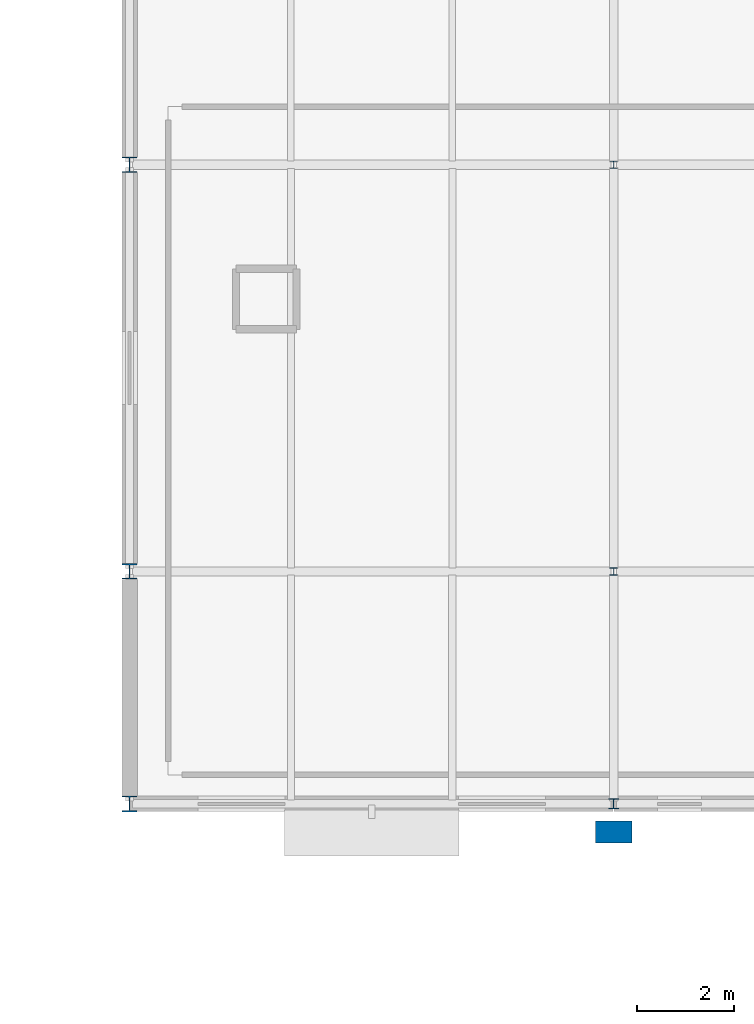
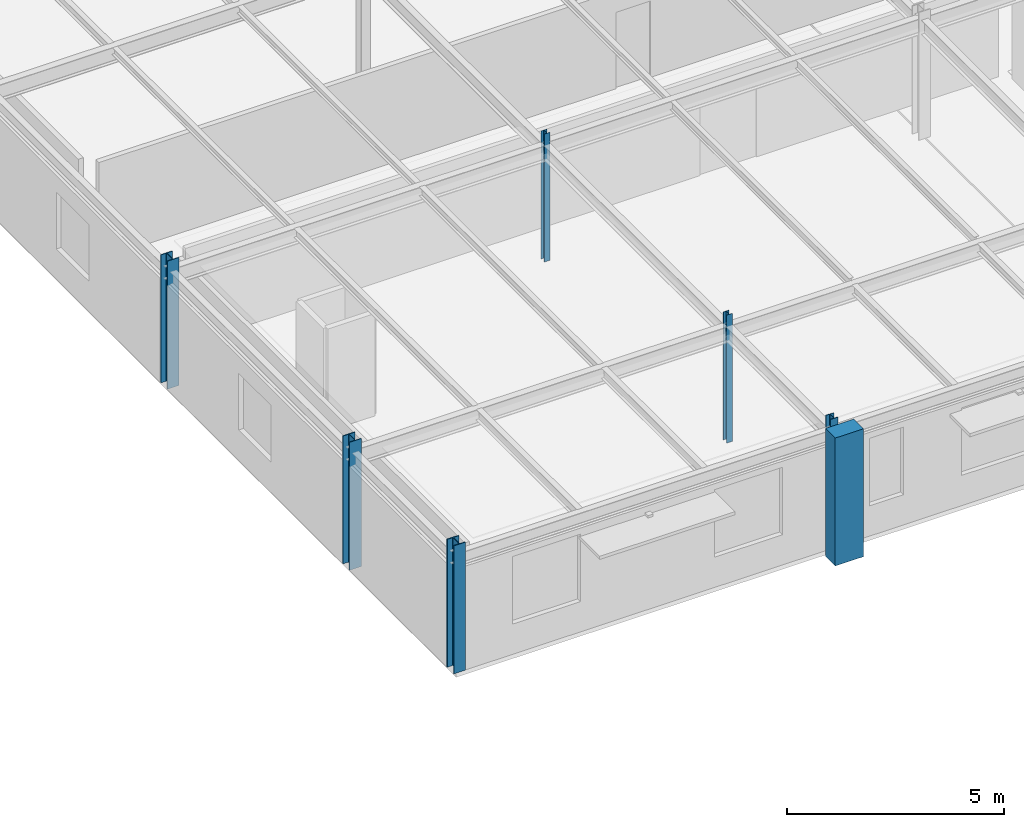
# One storey, part 15 of 109: 7 columns.
"""IFC4 building model written with IfcOpenShell, lengths in metres."""

from ifc_helpers import new_model, si_unit, derived_unit, direction, frame, origin, origin_2d_with_axis, place, context, subcontext, project, spatial, rectangle, i_section, extrude, material, material_profile, profile_set, type_object, element, save


model = new_model("IFC4")

# Units and contexts
model_context = context("Model", 3, precision=1e-05, world=origin(), true_north=direction((0.0, 1.0)))
body_context = subcontext(model_context, "Body", "Model", "MODEL_VIEW")
ifc_project = project(units=[si_unit("LENGTHUNIT", "METRE"), si_unit("AREAUNIT", "SQUARE_METRE"), si_unit("VOLUMEUNIT", "CUBIC_METRE"), si_unit("PLANEANGLEUNIT", "RADIAN"), si_unit("MASSUNIT", "GRAM", prefix="KILO"), derived_unit("THERMALTRANSMITTANCEUNIT", [(si_unit("POWERUNIT", "WATT"), 1), (si_unit("LENGTHUNIT", "METRE"), -2), (si_unit("THERMODYNAMICTEMPERATUREUNIT", "KELVIN"), -1)])], contexts=[model_context])

# Site, building, storey
site_placement = place(None, origin())
site = spatial("IfcSite", under=ifc_project, at=site_placement, CompositionType="ELEMENT")
building_placement = place(site_placement, origin())
building = spatial("IfcBuilding", under=site, at=building_placement, Name="Cinnabar Yard Market Hall", CompositionType="ELEMENT")
storey_placement = place(building_placement, frame((0.0, 0.0, 8.39990234375)))
storey = spatial("IfcBuildingStorey", under=building, at=storey_placement, Name="L02", CompositionType="ELEMENT", Elevation=8.39990234375)

# Columns
ifc_material_1 = material(Name="Steel Grade 350 (350 MPa)", Category="steel")
ifc_material_profile_1 = material_profile(ifc_material_1, i_section(OverallWidth=0.311279296875, OverallDepth=0.3271484375, WebThickness=0.015625, FlangeThickness=0.02490234375, FilletRadius=0.0166015625, at=origin_2d_with_axis()), Name="310UC158")
ifc_profile_set_1 = profile_set([ifc_material_profile_1], Name="Steel Grade 350 (350 MPa)")
column_type_1 = type_object("IfcColumnType", Name="COL-C06E", PredefinedType="COLUMN", material=ifc_profile_set_1)
column_1_placement = place(storey_placement, frame((66.0, 108.0, 0.0), z_axis=(0.0, 0.0, 1.0), x_axis=(1.0, 0.0, 0.0)))
element("IfcColumn", 1, at=column_1_placement, inside=storey, type_object=column_type_1, Name="Wing Column V3-01-01 L02", PredefinedType="COLUMN", context=body_context, shape_type="SweptSolid", body=[
    extrude(i_section(OverallWidth=0.311279296875, OverallDepth=0.3271484375, WebThickness=0.015625, FlangeThickness=0.02490234375, FilletRadius=0.0166015625, at=origin_2d_with_axis()), origin(), (0.0, 0.0, 1.0), 3.60009765625),
])
ifc_material_profile_2 = material_profile(ifc_material_1, i_section(OverallWidth=0.30908203125, OverallDepth=0.320556640625, WebThickness=0.013916015625, FlangeThickness=0.021728515625, FilletRadius=0.0166015625, at=origin_2d_with_axis()), Name="310UC137")
ifc_profile_set_2 = profile_set([ifc_material_profile_2], Name="Steel Grade 350 (350 MPa)")
column_type_2 = type_object("IfcColumnType", Name="COL-C07E", PredefinedType="COLUMN", material=ifc_profile_set_2)
column_2_placement = place(storey_placement, frame((66.0, 112.800048828125, 0.0), z_axis=(0.0, 0.0, 1.0), x_axis=(1.0, 0.0, 0.0)))
element("IfcColumn", 2, at=column_2_placement, inside=storey, type_object=column_type_2, Name="Wing Column V3-01-02 L02", PredefinedType="COLUMN", context=body_context, shape_type="SweptSolid", body=[
    extrude(i_section(OverallWidth=0.30908203125, OverallDepth=0.320556640625, WebThickness=0.013916015625, FlangeThickness=0.021728515625, FilletRadius=0.0166015625, at=origin_2d_with_axis()), origin(), (0.0, 0.0, 1.0), 3.60009765625),
])
ifc_material_2 = material(Name="Steel Grade 300 (300 MPa)", Category="steel")
ifc_material_profile_3 = material_profile(ifc_material_2, i_section(OverallWidth=0.307373046875, OverallDepth=0.314697265625, WebThickness=0.011962890625, FlangeThickness=0.018798828125, FilletRadius=0.0166015625, at=origin_2d_with_axis()), Name="310UC118")
ifc_profile_set_3 = profile_set([ifc_material_profile_3], Name="Steel Grade 300 (300 MPa)")
column_type_3 = type_object("IfcColumnType", Name="COL-C08E", PredefinedType="COLUMN", material=ifc_profile_set_3)
column_3_placement = place(storey_placement, frame((66.0, 121.199951171875, 0.0), z_axis=(0.0, 0.0, 1.0), x_axis=(1.0, 0.0, 0.0)))
element("IfcColumn", 3, at=column_3_placement, inside=storey, type_object=column_type_3, Name="Wing Column V3-01-03 L02", PredefinedType="COLUMN", context=body_context, shape_type="SweptSolid", body=[
    extrude(i_section(OverallWidth=0.307373046875, OverallDepth=0.314697265625, WebThickness=0.011962890625, FlangeThickness=0.018798828125, FilletRadius=0.0166015625, at=origin_2d_with_axis()), origin(), (0.0, 0.0, 1.0), 3.60009765625),
])
ifc_material_profile_4 = material_profile(ifc_material_2, i_section(OverallWidth=0.205078125, OverallDepth=0.209716796875, WebThickness=0.00927734375, FlangeThickness=0.01416015625, FilletRadius=0.011474609375, at=origin_2d_with_axis()), Name="200UC59.5")
ifc_profile_set_4 = profile_set([ifc_material_profile_4], Name="Steel Grade 300 (300 MPa)")
column_type_4 = type_object("IfcColumnType", Name="COL-C17E", PredefinedType="COLUMN", material=ifc_profile_set_4)
column_4_placement = place(storey_placement, frame((76.0, 108.0, 0.0), z_axis=(0.0, 0.0, 1.0), x_axis=(1.0, 0.0, 0.0)))
element("IfcColumn", 4, at=column_4_placement, inside=storey, type_object=column_type_4, Name="Wing Column V3-02-01 L02", PredefinedType="COLUMN", context=body_context, shape_type="SweptSolid", body=[
    extrude(i_section(OverallWidth=0.205078125, OverallDepth=0.209716796875, WebThickness=0.00927734375, FlangeThickness=0.01416015625, FilletRadius=0.011474609375, at=origin_2d_with_axis()), origin(), (0.0, 0.0, 1.0), 3.60009765625),
])
ifc_material_profile_5 = material_profile(ifc_material_2, i_section(OverallWidth=0.15283203125, OverallDepth=0.15771484375, WebThickness=0.006591796875, FlangeThickness=0.009521484375, FilletRadius=0.0087890625, at=origin_2d_with_axis()), Name="150UC30.0")
ifc_profile_set_5 = profile_set([ifc_material_profile_5], Name="Steel Grade 300 (300 MPa)")
column_type_5 = type_object("IfcColumnType", Name="COL-C18", PredefinedType="COLUMN", material=ifc_profile_set_5)
column_5_placement = place(storey_placement, frame((76.0, 112.800048828125, 0.0), z_axis=(0.0, 0.0, 1.0), x_axis=(1.0, 0.0, 0.0)))
element("IfcColumn", 5, at=column_5_placement, inside=storey, type_object=column_type_5, Name="Wing Column V3-02-02 L02", PredefinedType="COLUMN", context=body_context, shape_type="SweptSolid", body=[
    extrude(i_section(OverallWidth=0.15283203125, OverallDepth=0.15771484375, WebThickness=0.006591796875, FlangeThickness=0.009521484375, FilletRadius=0.0087890625, at=origin_2d_with_axis()), origin(), (0.0, 0.0, 1.0), 3.60009765625),
])
ifc_material_profile_6 = material_profile(ifc_material_2, i_section(OverallWidth=0.152099609375, OverallDepth=0.15234375, WebThickness=0.005859375, FlangeThickness=0.0068359375, FilletRadius=0.0087890625, at=origin_2d_with_axis()), Name="150UC23.4")
ifc_profile_set_6 = profile_set([ifc_material_profile_6], Name="Steel Grade 300 (300 MPa)")
column_type_6 = type_object("IfcColumnType", Name="COL-C19", PredefinedType="COLUMN", material=ifc_profile_set_6)
column_6_placement = place(storey_placement, frame((76.0, 121.199951171875, 0.0), z_axis=(0.0, 0.0, 1.0), x_axis=(1.0, 0.0, 0.0)))
element("IfcColumn", 6, at=column_6_placement, inside=storey, type_object=column_type_6, Name="Wing Column V3-02-03 L02", PredefinedType="COLUMN", context=body_context, shape_type="SweptSolid", body=[
    extrude(i_section(OverallWidth=0.152099609375, OverallDepth=0.15234375, WebThickness=0.005859375, FlangeThickness=0.0068359375, FilletRadius=0.0087890625, at=origin_2d_with_axis()), origin(), (0.0, 0.0, 1.0), 3.60009765625),
])
ifc_material_3 = material(Name="Concrete 40 MPa", Category="concrete")
ifc_material_profile_7 = material_profile(ifc_material_3, rectangle(XDim=0.75, YDim=0.449951171875, at=origin_2d_with_axis()), Name="RC-750x450")
ifc_profile_set_7 = profile_set([ifc_material_profile_7], Name="Concrete 40 MPa")
column_type_7 = type_object("IfcColumnType", Name="COL-PIL1E", PredefinedType="PILASTER", material=ifc_profile_set_7)
column_7_placement = place(storey_placement, frame((76.0, 107.419921875, 0.0), z_axis=(0.0, 0.0, 1.0), x_axis=(1.0, 0.0, 0.0)))
element("IfcColumn", 7, at=column_7_placement, inside=storey, type_object=column_type_7, Name="Engaged Pilaster 01 L02", PredefinedType="PILASTER", context=body_context, shape_type="SweptSolid", body=[
    extrude(rectangle(XDim=0.75, YDim=0.449951171875, at=origin_2d_with_axis()), origin(), (0.0, 0.0, 1.0), 3.60009765625),
])

save(model, "model.ifc")
